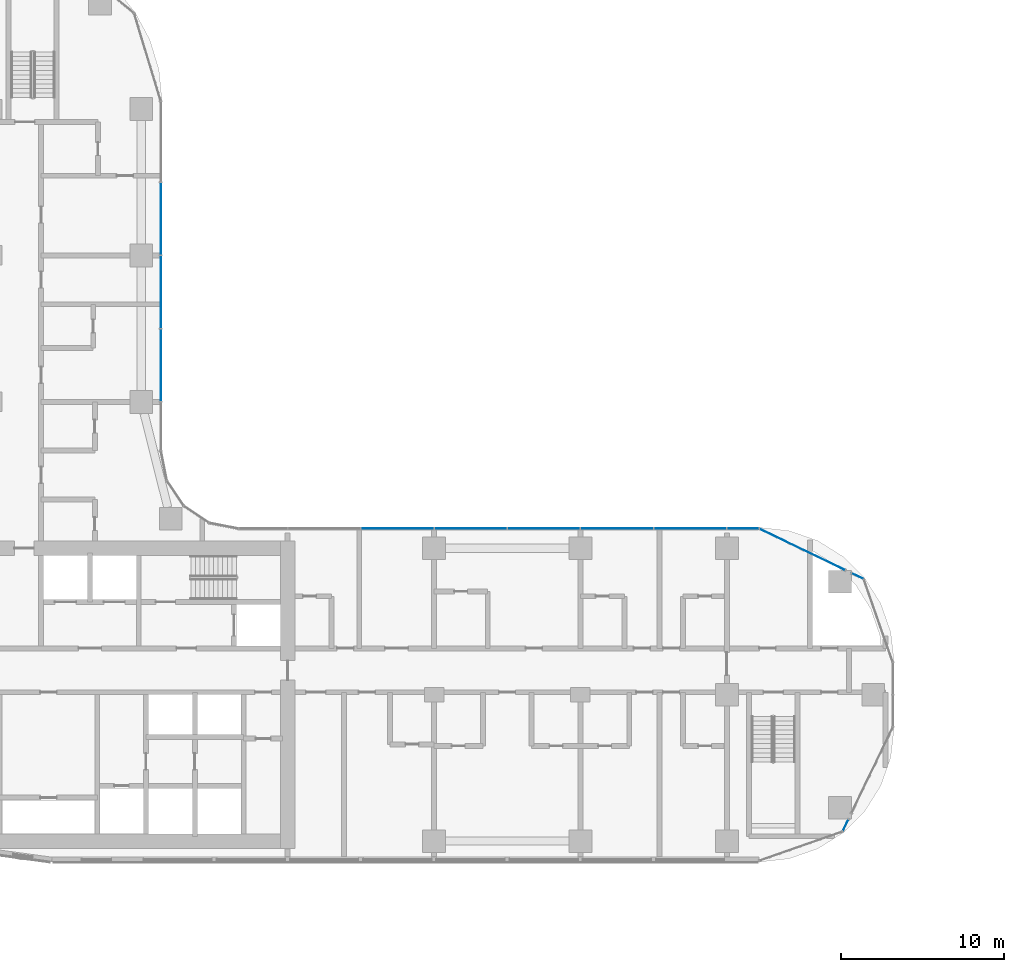
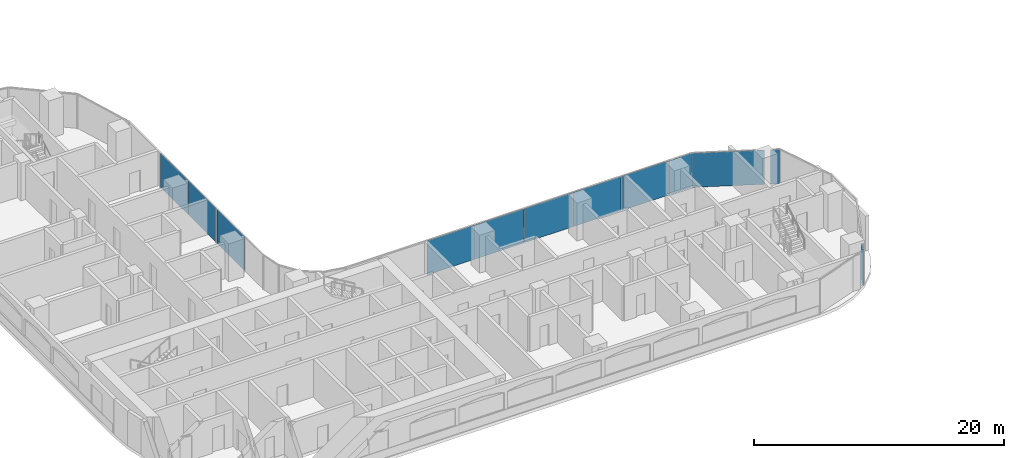
# One storey, part 15 of 36: 12 plates, 5 elements without a shape of their own.
"""IFC4 building model written with IfcOpenShell, lengths in metres."""

from ifc_helpers import new_model, si_unit, direction, frame, origin, origin_2d, place, context, subcontext, project, spatial, rectangle, extrude, material, layer, layer_set, type_object, element, aggregate, save


model = new_model("IFC4")

# Units and contexts
model_context = context("Model", 3, precision=1e-05, world=origin(), true_north=direction((0.0, 1.0)))
body_context = subcontext(model_context, "Body", "Model", "MODEL_VIEW")
ifc_project = project(units=[si_unit("LENGTHUNIT", "METRE"), si_unit("AREAUNIT", "SQUARE_METRE"), si_unit("VOLUMEUNIT", "CUBIC_METRE"), si_unit("PLANEANGLEUNIT", "RADIAN"), si_unit("MASSUNIT", "GRAM", prefix="KILO")], contexts=[model_context])

# Site, building, storey
site_placement = place(None, origin())
site = spatial("IfcSite", under=ifc_project, at=site_placement, CompositionType="ELEMENT")
building_placement = place(site_placement, origin())
building = spatial("IfcBuilding", under=site, at=building_placement, Name="Ogive Portal Towers", CompositionType="ELEMENT")
storey_placement = place(building_placement, frame((0.0, 0.0, 48.300048828125)))
storey = spatial("IfcBuildingStorey", under=building, at=storey_placement, Name="L10", CompositionType="ELEMENT", Elevation=48.300048828125)

# Curtain wall, plates
ifc_material = material(Name="Glass, clear low-iron insulated glazing", Category="glass")
curtain_wall_type = type_object("IfcCurtainWallType", Name="CW FRONT RIBBON 4500", PredefinedType="NOTDEFINED", material=ifc_material)
curtain_wall_1_placement = place(storey_placement, origin())
curtain_wall_1 = element("IfcCurtainWall", 1, at=curtain_wall_1_placement, inside=storey, type_object=curtain_wall_type, Name="A:L10:f11:cw0", PredefinedType="NOTDEFINED")
ifc_layer = layer(ifc_material, 0.028076171875)
ifc_layer_set = layer_set([ifc_layer], Name="CW PANEL IGU 28")
plate_type = type_object("IfcPlateType", Name="CW PANEL IGU 28", PredefinedType="CURTAIN_PANEL", material=ifc_layer_set)
plate_1_placement = place(storey_placement, frame((86.490966796875, 40.705078125, 0.0), z_axis=(0.0, 0.0, 1.0), x_axis=(-1.0, 0.0, 0.0)))
plate_1 = element("IfcPlate", 2, at=plate_1_placement, type_object=plate_type, Name="panel", PredefinedType="CURTAIN_PANEL", context=body_context, shape_type="SweptSolid", body=[
    extrude(rectangle(XDim=1.921630859375, YDim=0.028076171875, at=origin_2d()), origin(), (0.0, 0.0, 1.0), 3.340087890625),
])
plate_2_placement = place(storey_placement, frame((83.25, 40.705078125, 0.0), z_axis=(0.0, 0.0, 1.0), x_axis=(-1.0, 0.0, 0.0)))
plate_2 = element("IfcPlate", 3, at=plate_2_placement, type_object=plate_type, Name="panel", PredefinedType="CURTAIN_PANEL", context=body_context, shape_type="SweptSolid", body=[
    extrude(rectangle(XDim=4.43994140625, YDim=0.028076171875, at=origin_2d()), origin(), (0.0, 0.0, 1.0), 3.340087890625),
])
plate_3_placement = place(storey_placement, frame((78.75, 40.705078125, 0.0), z_axis=(0.0, 0.0, 1.0), x_axis=(-1.0, 0.0, 0.0)))
plate_3 = element("IfcPlate", 4, at=plate_3_placement, type_object=plate_type, Name="panel", PredefinedType="CURTAIN_PANEL", context=body_context, shape_type="SweptSolid", body=[
    extrude(rectangle(XDim=4.43994140625, YDim=0.028076171875, at=origin_2d()), origin(), (0.0, 0.0, 1.0), 3.340087890625),
])
plate_4_placement = place(storey_placement, frame((74.25, 40.705078125, 0.0), z_axis=(0.0, 0.0, 1.0), x_axis=(-1.0, 0.0, 0.0)))
plate_4 = element("IfcPlate", 5, at=plate_4_placement, type_object=plate_type, Name="panel", PredefinedType="CURTAIN_PANEL", context=body_context, shape_type="SweptSolid", body=[
    extrude(rectangle(XDim=4.43994140625, YDim=0.028076171875, at=origin_2d()), origin(), (0.0, 0.0, 1.0), 3.340087890625),
])
plate_5_placement = place(storey_placement, frame((69.75, 40.705078125, 0.0), z_axis=(0.0, 0.0, 1.0), x_axis=(-1.0, 0.0, 0.0)))
plate_5 = element("IfcPlate", 6, at=plate_5_placement, type_object=plate_type, Name="panel", PredefinedType="CURTAIN_PANEL", context=body_context, shape_type="SweptSolid", body=[
    extrude(rectangle(XDim=4.43994140625, YDim=0.028076171875, at=origin_2d()), origin(), (0.0, 0.0, 1.0), 3.340087890625),
])
plate_6_placement = place(storey_placement, frame((65.25, 40.705078125, 0.0), z_axis=(0.0, 0.0, 1.0), x_axis=(-1.0, 0.0, 0.0)))
plate_6 = element("IfcPlate", 7, at=plate_6_placement, type_object=plate_type, Name="panel", PredefinedType="CURTAIN_PANEL", context=body_context, shape_type="SweptSolid", body=[
    extrude(rectangle(XDim=4.43994140625, YDim=0.028076171875, at=origin_2d()), origin(), (0.0, 0.0, 1.0), 3.340087890625),
])
aggregate(curtain_wall_1, [plate_1, plate_2, plate_3, plate_4, plate_5, plate_6])

curtain_wall_2_placement = place(storey_placement, origin())
curtain_wall_2 = element("IfcCurtainWall", 8, at=curtain_wall_2_placement, inside=storey, type_object=curtain_wall_type, Name="A:L10:f16:cw0", PredefinedType="NOTDEFINED")
plate_7_placement = place(storey_placement, frame((50.705078125, 50.75, 0.0), z_axis=(0.0, 0.0, 1.0), x_axis=(0.0, 1.0, 0.0)))
plate_7 = element("IfcPlate", 9, at=plate_7_placement, type_object=plate_type, Name="panel", PredefinedType="CURTAIN_PANEL", context=body_context, shape_type="SweptSolid", body=[
    extrude(rectangle(XDim=4.43994140625, YDim=0.028076171875, at=origin_2d()), origin(), (0.0, 0.0, 1.0), 3.340087890625),
])
plate_8_placement = place(storey_placement, frame((50.705078125, 55.25, 0.0), z_axis=(0.0, 0.0, 1.0), x_axis=(0.0, 1.0, 0.0)))
plate_8 = element("IfcPlate", 10, at=plate_8_placement, type_object=plate_type, Name="panel", PredefinedType="CURTAIN_PANEL", context=body_context, shape_type="SweptSolid", body=[
    extrude(rectangle(XDim=4.43994140625, YDim=0.028076171875, at=origin_2d()), origin(), (0.0, 0.0, 1.0), 3.340087890625),
])
plate_9_placement = place(storey_placement, frame((50.705078125, 59.75, 0.0), z_axis=(0.0, 0.0, 1.0), x_axis=(0.0, 1.0, 0.0)))
plate_9 = element("IfcPlate", 11, at=plate_9_placement, type_object=plate_type, Name="panel", PredefinedType="CURTAIN_PANEL", context=body_context, shape_type="SweptSolid", body=[
    extrude(rectangle(XDim=4.43994140625, YDim=0.028076171875, at=origin_2d()), origin(), (0.0, 0.0, 1.0), 3.340087890625),
])
aggregate(curtain_wall_2, [plate_7, plate_8, plate_9])

# Curtain wall, plate
curtain_wall_3_placement = place(storey_placement, origin())
curtain_wall_3 = element("IfcCurtainWall", 12, at=curtain_wall_3_placement, inside=storey, type_object=curtain_wall_type, Name="A:L10:f06:cwa~0", PredefinedType="NOTDEFINED")
plate_10_placement = place(storey_placement, frame((92.79150390625, 22.468505859375, 0.0), z_axis=(0.0, 0.0, 1.0), x_axis=(0.433883739113, 0.900968867905, 0.0)))
plate_10 = element("IfcPlate", 13, at=plate_10_placement, type_object=plate_type, Name="panel", PredefinedType="CURTAIN_PANEL", context=body_context, shape_type="SweptSolid", body=[
    extrude(rectangle(XDim=0.786865234375, YDim=0.028076171875, at=origin_2d()), origin(), (0.0, 0.0, 1.0), 3.340087890625),
])
aggregate(curtain_wall_3, [plate_10])

curtain_wall_4_placement = place(storey_placement, origin())
curtain_wall_4 = element("IfcCurtainWall", 14, at=curtain_wall_4_placement, inside=storey, type_object=curtain_wall_type, Name="A:L10:f09:cwa~0", PredefinedType="NOTDEFINED")
plate_11_placement = place(storey_placement, frame((93.531494140625, 37.79150390625, 0.0), z_axis=(0.0, 0.0, 1.0), x_axis=(-0.900968867905, 0.433883739113, 0.0)))
plate_11 = element("IfcPlate", 15, at=plate_11_placement, type_object=plate_type, Name="panel", PredefinedType="CURTAIN_PANEL", context=body_context, shape_type="SweptSolid", body=[
    extrude(rectangle(XDim=0.786865234375, YDim=0.028076171875, at=origin_2d()), origin(), (0.0, 0.0, 1.0), 3.340087890625),
])
aggregate(curtain_wall_4, [plate_11])

curtain_wall_5_placement = place(storey_placement, origin())
curtain_wall_5 = element("IfcCurtainWall", 16, at=curtain_wall_5_placement, inside=storey, type_object=curtain_wall_type, Name="A:L10:f09:cwa~1", PredefinedType="NOTDEFINED")
plate_12_placement = place(storey_placement, frame((90.134521484375, 39.427490234375, 0.0), z_axis=(0.0, 0.0, 1.0), x_axis=(-0.900968867905, 0.433883739113, 0.0)))
plate_12 = element("IfcPlate", 17, at=plate_12_placement, type_object=plate_type, Name="panel", PredefinedType="CURTAIN_PANEL", context=body_context, shape_type="SweptSolid", body=[
    extrude(rectangle(XDim=5.82861328125, YDim=0.028076171875, at=origin_2d()), origin(), (0.0, 0.0, 1.0), 3.340087890625),
])
aggregate(curtain_wall_5, [plate_12])

save(model, "model.ifc")
